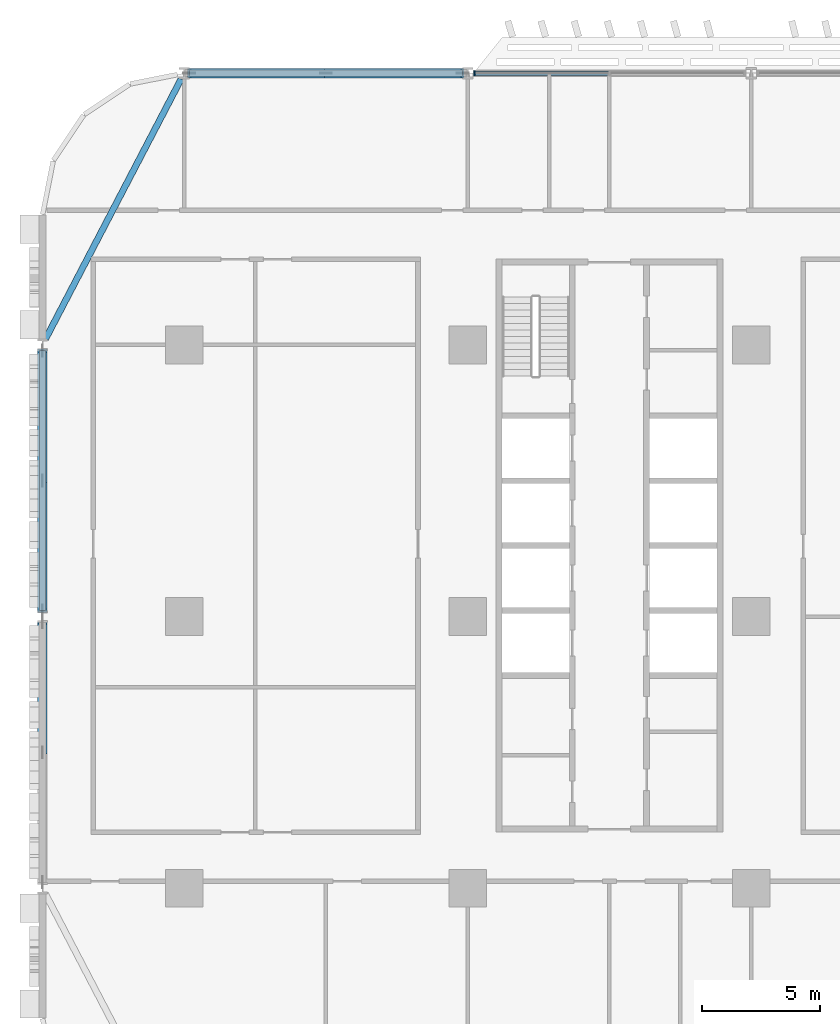
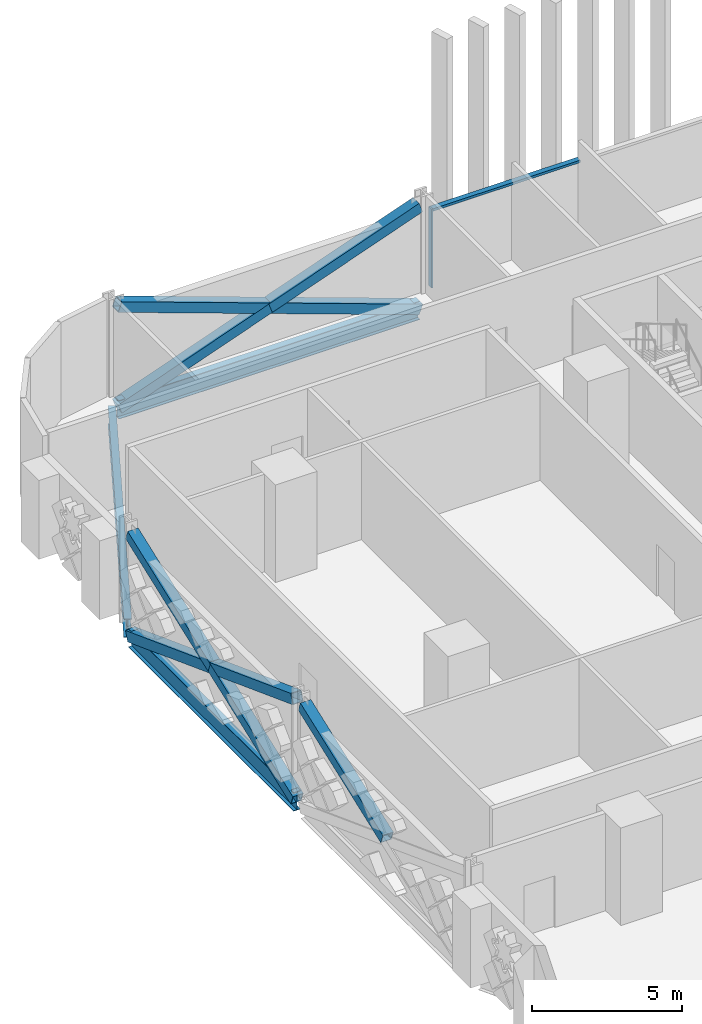
# One storey, part 4 of 31: 9 members, 3 beams, 1 element without a shape of its own.
"""IFC4 building model written with IfcOpenShell, lengths in metres."""

from ifc_helpers import new_model, si_unit, direction, frame, origin, origin_2d, place, context, subcontext, project, spatial, rectangle, hollow_rectangle, i_section, extrude, material, material_profile, profile_set, type_object, element, aggregate, save


model = new_model("IFC4")

# Units and contexts
model_context = context("Model", 3, precision=1e-05, world=origin(), true_north=direction((0.0, 1.0)))
body_context = subcontext(model_context, "Body", "Model", "MODEL_VIEW")
ifc_project = project(units=[si_unit("LENGTHUNIT", "METRE"), si_unit("AREAUNIT", "SQUARE_METRE"), si_unit("VOLUMEUNIT", "CUBIC_METRE"), si_unit("PLANEANGLEUNIT", "RADIAN"), si_unit("MASSUNIT", "GRAM", prefix="KILO")], contexts=[model_context])

# Site, building, storey
site_placement = place(None, origin())
site = spatial("IfcSite", under=ifc_project, at=site_placement, CompositionType="ELEMENT")
building_placement = place(site_placement, origin())
building = spatial("IfcBuilding", under=site, at=building_placement, Name="Mahtab Terrace Research Tower", CompositionType="ELEMENT")
storey_placement = place(building_placement, frame((0.0, 0.0, 11.5)))
storey = spatial("IfcBuildingStorey", under=building, at=storey_placement, Name="L02", CompositionType="ELEMENT", Elevation=11.5)

# Members
ifc_material_1 = material(Name="Steel ASTM A500 Gr C", Category="steel")
ifc_material_profile_1 = material_profile(ifc_material_1, hollow_rectangle(XDim=0.406494140625, YDim=0.406494140625, WallThickness=0.01904296875, at=origin_2d()), Name="HSS16X16X3/4")
ifc_profile_set_1 = profile_set([ifc_material_profile_1], Name="Steel ASTM A500 Gr C")
member_type_1 = type_object("IfcMemberType", Name="HSS 16x16x3/4 brace XB161634", PredefinedType="BRACE", material=ifc_profile_set_1)
member_1_placement = place(storey_placement, frame((-30.2158203125, 23.0, -0.64111328125), z_axis=(-0.941388097231, 0.0, 0.337325436917), x_axis=(0.0, -1.0, 0.0)))
element("IfcMember", 1, at=member_1_placement, inside=storey, type_object=member_type_1, Name="Exoskeleton brace L02 07 a", PredefinedType="BRACE", context=body_context, shape_type="SweptSolid", body=[
    extrude(hollow_rectangle(XDim=0.406494140625, YDim=0.406494140625, WallThickness=0.01904296875, at=origin_2d()), origin(), (0.0, 0.0, 1.0), 12.28857421875),
])
for number, where, z_axis, x_axis, name in (
    (2, (-41.7841796875, 23.0, -0.64111328125), (0.941381788192, 0.0, 0.337343043295), (0.0, 1.0, 0.0), "Exoskeleton brace L02 07 b1"),
    (3, (-36.0, 23.0, 1.431640625), (0.941394406025, 0.0, 0.337307830185), (0.0, 1.0, 0.0), "Exoskeleton brace L02 07 b2"),
):
    element("IfcMember", number, at=place(storey_placement, frame(where, z_axis=z_axis, x_axis=x_axis)), inside=storey, type_object=member_type_1, Name=name, PredefinedType="BRACE", context=body_context, shape_type="SweptSolid", body=[
        extrude(hollow_rectangle(XDim=0.406494140625, YDim=0.406494140625, WallThickness=0.01904296875, at=origin_2d()), origin(), (0.0, 0.0, 1.0), 6.144287109375),
    ])
member_2_placement = place(storey_placement, frame((-48.0, 11.251220703125, -0.62548828125), z_axis=(0.0, -0.936661873217, 0.350234971499), x_axis=(1.0, 0.0, 0.0)))
element("IfcMember", 4, at=member_2_placement, inside=storey, type_object=member_type_1, Name="Exoskeleton brace L02 09 a", PredefinedType="BRACE", context=body_context, shape_type="SweptSolid", body=[
    extrude(hollow_rectangle(XDim=0.406494140625, YDim=0.406494140625, WallThickness=0.01904296875, at=origin_2d()), origin(), (0.0, 0.0, 1.0), 11.746337890625),
])
for number, where, z_axis, x_axis, name in (
    (5, (-48.0, 0.248779296875, -0.62548828125), (0.0, 0.936655054788, 0.350253206038), (-1.0, 0.0, 0.0), "Exoskeleton brace L02 09 b1"),
    (6, (-48.0, 5.75, 1.431640625), (0.0, 0.936668691391, 0.350216736563), (-1.0, 0.0, 0.0), "Exoskeleton brace L02 09 b2"),
    (7, (-48.0, -5.75, 1.431640625), (0.0, 0.936668691391, 0.350216736563), (-1.0, 0.0, 0.0), "Exoskeleton brace L02 10 b2"),
):
    element("IfcMember", number, at=place(storey_placement, frame(where, z_axis=z_axis, x_axis=x_axis)), inside=storey, type_object=member_type_1, Name=name, PredefinedType="BRACE", context=body_context, shape_type="SweptSolid", body=[
        extrude(hollow_rectangle(XDim=0.406494140625, YDim=0.406494140625, WallThickness=0.01904296875, at=origin_2d()), origin(), (0.0, 0.0, 1.0), 5.873291015625),
    ])

# Curtain wall, members
ifc_material_2 = material(Name="Laboratory ribbon curtain wall")
curtain_wall_type = type_object("IfcCurtainWallType", Name="Laboratory ribbon curtain wall", PredefinedType="NOTDEFINED", material=ifc_material_2)
curtain_wall_placement = place(storey_placement, origin())
curtain_wall = element("IfcCurtainWall", 8, at=curtain_wall_placement, inside=storey, type_object=curtain_wall_type, Name="EN.L02.3.8", PredefinedType="NOTDEFINED")
ifc_material_3 = material(Name="Natural anodised aluminium", Category="aluminium")
ifc_material_profile_2 = material_profile(ifc_material_3, rectangle(XDim=0.199951171875, YDim=0.06494140625, at=origin_2d()), Name="MULLION 65x200")
ifc_profile_set_2 = profile_set([ifc_material_profile_2], Name="Natural anodised aluminium")
member_type_2 = type_object("IfcMemberType", Name="Laboratory ribbon curtain wall mullion", PredefinedType="MULLION", material=ifc_profile_set_2)
member_3_placement = place(storey_placement, frame((-29.718505859375, 23.0, 0.0), z_axis=(0.0, 0.0, 1.0), x_axis=(0.0, -1.0, 0.0)))
member_3 = element("IfcMember", 9, at=member_3_placement, type_object=member_type_2, Name="CWL-1 mullion 3", PredefinedType="MULLION", context=body_context, shape_type="SweptSolid", body=[
    extrude(rectangle(XDim=0.199951171875, YDim=0.06494140625, at=origin_2d()), origin(), (0.0, 0.0, 1.0), 3.203125),
])
ifc_material_profile_3 = material_profile(ifc_material_3, rectangle(XDim=0.199951171875, YDim=0.10009765625, at=origin_2d()), Name="TRANSOM 100x200")
ifc_profile_set_3 = profile_set([ifc_material_profile_3], Name="Natural anodised aluminium")
member_type_3 = type_object("IfcMemberType", Name="Laboratory ribbon curtain wall transom", PredefinedType="USERDEFINED", material=ifc_profile_set_3)
member_4_placement = place(storey_placement, frame((-24.032470703125, 23.0, 3.153076171875), z_axis=(-1.0, 0.0, 0.0), x_axis=(0.0, -1.0, 0.0)))
member_4 = element("IfcMember", 10, at=member_4_placement, type_object=member_type_3, Name="CWL-1 transom 2", ObjectType="TRANSOM", PredefinedType="USERDEFINED", context=body_context, shape_type="SweptSolid", body=[
    extrude(rectangle(XDim=0.199951171875, YDim=0.10009765625, at=origin_2d()), origin(), (0.0, 0.0, 1.0), 5.653564453125),
])
aggregate(curtain_wall, [member_3, member_4])

# Beams
ifc_material_4 = material(Name="Steel ASTM A992 Gr 50", Category="steel")
ifc_material_profile_4 = material_profile(ifc_material_4, i_section(OverallWidth=0.2666015625, OverallDepth=0.7568359375, WebThickness=0.013916015625, FlangeThickness=0.019287109375, at=origin_2d()), Name="W30X108")
ifc_profile_set_4 = profile_set([ifc_material_profile_4], Name="Steel ASTM A992 Gr 50")
beam_type = type_object("IfcBeamType", Name="W30x108 beam BS30108", PredefinedType="BEAM", material=ifc_profile_set_4)
beam_1_placement = place(storey_placement, frame((-30.2158203125, 23.0, -0.718505859375), z_axis=(-1.0, 0.0, 0.0), x_axis=(0.0, -1.0, 0.0)))
element("IfcBeam", 11, at=beam_1_placement, inside=storey, type_object=beam_type, Name="Spandrel beam L02 07", PredefinedType="BEAM", context=body_context, shape_type="SweptSolid", body=[
    extrude(i_section(OverallWidth=0.2666015625, OverallDepth=0.7568359375, WebThickness=0.013916015625, FlangeThickness=0.019287109375, at=origin_2d()), origin(), (0.0, 0.0, 1.0), 11.568359375),
])
beam_2_placement = place(storey_placement, frame((-42.1298828125, 22.751220703125, -0.718505859375), z_axis=(-0.462555249274, -0.88659045865, 0.0), x_axis=(0.88659045865, -0.462555249274, 0.0)))
element("IfcBeam", 12, at=beam_2_placement, inside=storey, type_object=beam_type, Name="Spandrel beam L02 08", PredefinedType="BEAM", context=body_context, shape_type="SweptSolid", body=[
    extrude(i_section(OverallWidth=0.2666015625, OverallDepth=0.7568359375, WebThickness=0.013916015625, FlangeThickness=0.019287109375, at=origin_2d()), origin(), (0.0, 0.0, 1.0), 12.409912109375),
])
beam_3_placement = place(storey_placement, frame((-48.0, 11.251220703125, -0.718505859375), z_axis=(0.0, -1.0, 0.0), x_axis=(1.0, 0.0, 0.0)))
element("IfcBeam", 13, at=beam_3_placement, inside=storey, type_object=beam_type, Name="Spandrel beam L02 09", PredefinedType="BEAM", context=body_context, shape_type="SweptSolid", body=[
    extrude(i_section(OverallWidth=0.2666015625, OverallDepth=0.7568359375, WebThickness=0.013916015625, FlangeThickness=0.019287109375, at=origin_2d()), origin(), (0.0, 0.0, 1.0), 11.00244140625),
])

save(model, "model.ifc")
